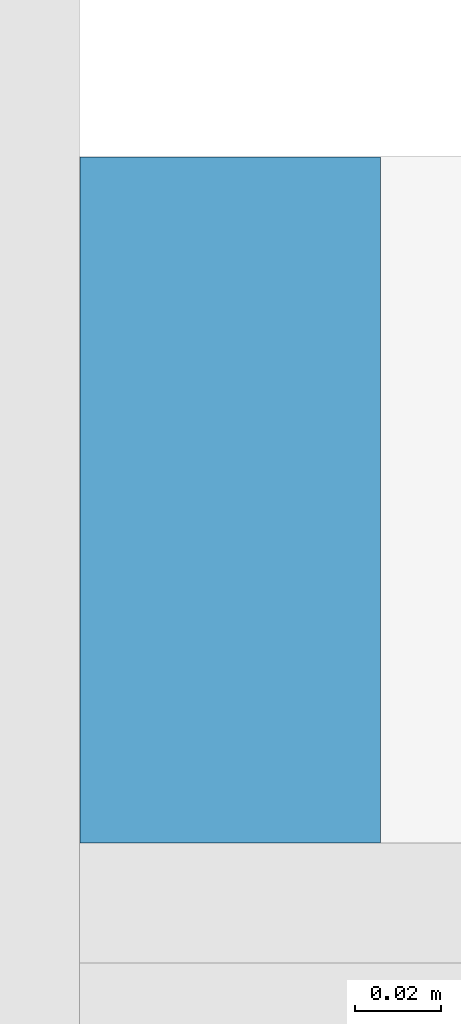
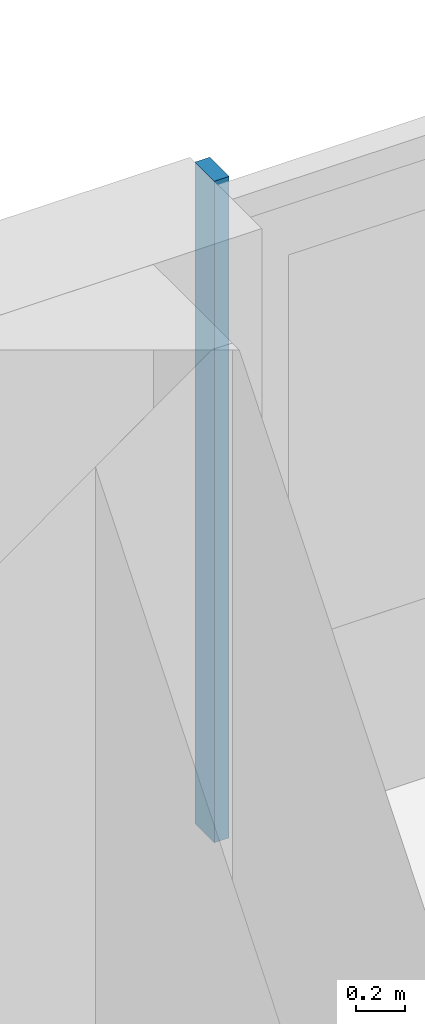
# One storey, part 10 of 27: 1 member, 1 element without a shape of its own.
"""IFC4 building model written with IfcOpenShell, lengths in metres."""

from ifc_helpers import new_model, si_unit, direction, frame, origin, origin_2d, place, context, subcontext, project, spatial, rectangle, extrude, material, material_profile, profile_set, type_object, element, aggregate, save


model = new_model("IFC4")

# Units and contexts
model_context = context("Model", 3, precision=1e-05, world=origin(), true_north=direction((0.0, 1.0)))
body_context = subcontext(model_context, "Body", "Model", "MODEL_VIEW")
ifc_project = project(units=[si_unit("LENGTHUNIT", "METRE"), si_unit("AREAUNIT", "SQUARE_METRE"), si_unit("VOLUMEUNIT", "CUBIC_METRE"), si_unit("PLANEANGLEUNIT", "RADIAN"), si_unit("MASSUNIT", "GRAM", prefix="KILO")], contexts=[model_context])

# Site, building, storey
site_placement = place(None, origin())
site = spatial("IfcSite", under=ifc_project, at=site_placement, CompositionType="ELEMENT")
building_placement = place(site_placement, origin())
building = spatial("IfcBuilding", under=site, at=building_placement, Name="Saffron Gate Tower", CompositionType="ELEMENT")
storey_placement = place(building_placement, frame((0.0, 0.0, 234.300048828125)))
storey = spatial("IfcBuildingStorey", under=building, at=storey_placement, Name="L57", CompositionType="ELEMENT", Elevation=234.300048828125)

# Curtain wall, member
ifc_material = material(Name="Aluminium, bronze anodised", Category="aluminium")
curtain_wall_type = type_object("IfcCurtainWallType", Name="CWS3 curtain wall rear facade", PredefinedType="NOTDEFINED", material=ifc_material)
curtain_wall_placement = place(storey_placement, origin())
curtain_wall = element("IfcCurtainWall", 1, at=curtain_wall_placement, inside=storey, type_object=curtain_wall_type, Name="CWS3 run 7", PredefinedType="NOTDEFINED")
ifc_material_profile = material_profile(ifc_material, rectangle(XDim=0.159912109375, YDim=0.070068359375, at=origin_2d()))
ifc_profile_set = profile_set([ifc_material_profile], Name="Aluminium, bronze anodised")
member_type = type_object("IfcMemberType", Name="CWS3 mullion 70x160", PredefinedType="MULLION", material=ifc_profile_set)
member_placement = place(storey_placement, frame((108.60009765625, 75.52001953125, 0.0), z_axis=(0.0, 0.0, 1.0), x_axis=(0.0, -1.0, 0.0)))
member = element("IfcMember", 2, at=member_placement, type_object=member_type, Name="CWS3 mullion 3", PredefinedType="MULLION", context=body_context, shape_type="SweptSolid", body=[
    extrude(rectangle(XDim=0.159912109375, YDim=0.070068359375, at=origin_2d()), origin(), (0.0, 0.0, 1.0), 3.320068359375),
])
aggregate(curtain_wall, [member])

save(model, "model.ifc")
